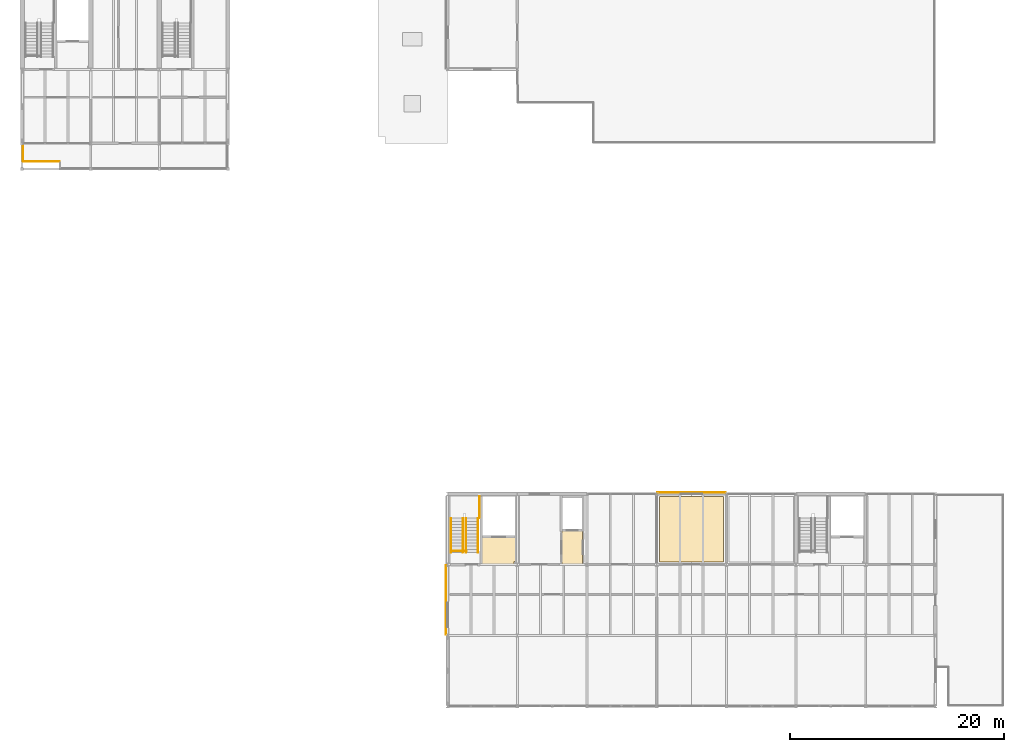
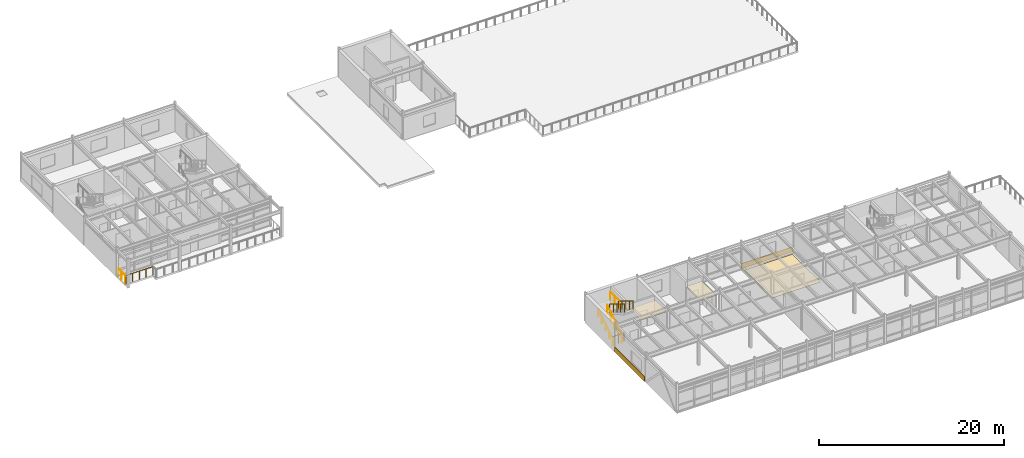
# One storey, part 23 of 26: 8 railings, 5 coverings.
"""IFC4 building model written with IfcOpenShell, lengths in metres."""

import ifcopenshell
import ifcopenshell.guid

model = None  # the IFC model being written
_history = None  # IfcOwnerHistory: only IFC2X3 demands one
_inside = {}  # id of a spatial element -> (the spatial element, [elements in it])
_under = {}  # id of a project, library or spatial element -> (it, [spatial elements below it])
_declared = {}  # id of a project -> (the project, [libraries it declares])
_typed = {}  # id of a type object -> (the type object, [elements of that type])
_made_of = {}  # id of a material, layer set ... -> (it, [elements and type objects made of it])


def new_model(schema):
    """Start an empty IFC model of exactly this schema.

    Asked for "IFC4X3", IfcOpenShell would pick the latest addendum, in which some entities
    have other attributes; the version numbers below select the first issue.
    IFC2X3 requires an IfcOwnerHistory on every rooted entity: one is made here for all.
    """
    global model, _history
    if schema == "IFC4X3":
        model = ifcopenshell.file(schema_version=(4, 3, 0, 0))
    else:
        model = ifcopenshell.file(schema=schema)
    _inside.clear()
    _under.clear()
    _declared.clear()
    _typed.clear()
    _made_of.clear()
    _history = None
    if model.schema == "IFC2X3":
        org = make("IfcOrganization", Name="unknown")
        user = make(
            "IfcPersonAndOrganization",
            ThePerson=make("IfcPerson", FamilyName="unknown"),
            TheOrganization=org,
        )
        app = make(
            "IfcApplication",
            ApplicationDeveloper=org,
            Version="unknown",
            ApplicationFullName="unknown",
            ApplicationIdentifier="unknown",
        )
        _history = make(
            "IfcOwnerHistory",
            OwningUser=user,
            OwningApplication=app,
            ChangeAction="ADDED",
            CreationDate=0,
        )
    return model


def make(cls, **values):
    """One entity of the class cls with the attributes given. An attribute that is None is left unset."""
    return model.create_entity(
        cls, **{name: value for name, value in values.items() if value is not None}
    )


def rooted(cls, **values):
    """An entity with a GlobalId (a new one), such as an element, a storey or a relation."""
    return make(cls, GlobalId=ifcopenshell.guid.new(), OwnerHistory=_history, **values)


def si_unit(unit_type, name, prefix=None):
    """IfcSIUnit, for example si_unit("LENGTHUNIT", "METRE", prefix="MILLI")."""
    return make("IfcSIUnit", UnitType=unit_type, Prefix=prefix, Name=name)


def assignment(units):
    """IfcUnitAssignment: the units of a project."""
    return None if units is None else make("IfcUnitAssignment", Units=units)


def point(xyz):
    """IfcCartesianPoint."""
    return None if xyz is None else make("IfcCartesianPoint", Coordinates=xyz)


def direction(xyz):
    """IfcDirection."""
    return None if xyz is None else make("IfcDirection", DirectionRatios=xyz)


def frame(location, z_axis=None, x_axis=None):
    """IfcAxis2Placement3D, a coordinate frame: its origin and axes. An axis left out is left unset."""
    return make(
        "IfcAxis2Placement3D",
        Location=point(location),
        Axis=direction(z_axis),
        RefDirection=direction(x_axis),
    )


def frame_2d(location, x_axis=None):
    """IfcAxis2Placement2D, a coordinate frame in the plane: its origin and x axis."""
    return make(
        "IfcAxis2Placement2D", Location=point(location), RefDirection=direction(x_axis)
    )


def origin():
    """The frame at (0, 0, 0) with its axes left unset."""
    return frame((0.0, 0.0, 0.0))


def origin_2d():
    """The frame at (0, 0) in the plane with its x axis left unset."""
    return frame_2d((0.0, 0.0))


def place(relative_to, where):
    """IfcLocalPlacement: puts the frame where relative to a parent placement (None: the world)."""
    return make(
        "IfcLocalPlacement", PlacementRelTo=relative_to, RelativePlacement=where
    )


def context(
    kind, dimensions, precision=None, world=None, true_north=None, identifier=None
):
    """IfcGeometricRepresentationContext, for example the 3D "Model" context."""
    return make(
        "IfcGeometricRepresentationContext",
        ContextIdentifier=identifier,
        ContextType=kind,
        CoordinateSpaceDimension=dimensions,
        Precision=precision,
        WorldCoordinateSystem=world,
        TrueNorth=true_north,
    )


def subcontext(parent, identifier, kind, view, scale=None):
    """IfcGeometricRepresentationSubContext, for example "Body" below "Model"."""
    return make(
        "IfcGeometricRepresentationSubContext",
        ContextIdentifier=identifier,
        ContextType=kind,
        ParentContext=parent,
        TargetScale=scale,
        TargetView=view,
    )


def project(units=None, contexts=None):
    """IfcProject with its units and contexts."""
    return rooted(
        "IfcProject",
        Name="project",
        RepresentationContexts=contexts,
        UnitsInContext=assignment(units),
    )


def spatial(cls, under=None, at=None, **own):
    """A site, building, storey or space (cls), placed at a placement, below another one or the project."""
    s = rooted(cls, ObjectPlacement=at, **own)
    if under is not None:
        _under.setdefault(under.id(), (under, []))[1].append(s)
    return s


def polyline(points):
    """IfcPolyline through the points."""
    return make("IfcPolyline", Points=[point(p) for p in points])


def profile(cls, at=None, kind="AREA", **sizes):
    """A parametric profile (cls). Its sizes go by their IFC names, for example OverallWidth=200.0."""
    return make(cls, ProfileType=kind, Position=at, **sizes)


def rectangle(**sizes):
    """IfcRectangleProfileDef."""
    return profile("IfcRectangleProfileDef", **sizes)


def circle(**sizes):
    """IfcCircleProfileDef."""
    return profile("IfcCircleProfileDef", **sizes)


def outline(outer, holes=None, kind="AREA"):
    """IfcArbitraryClosedProfileDef: a profile drawn as a closed curve; with holes, ...WithVoids."""
    if holes is None:
        return make("IfcArbitraryClosedProfileDef", ProfileType=kind, OuterCurve=outer)
    return make(
        "IfcArbitraryProfileDefWithVoids",
        ProfileType=kind,
        OuterCurve=outer,
        InnerCurves=holes,
    )


def extrude(swept, where, along, depth):
    """IfcExtrudedAreaSolid: the profile swept, set in the frame where, extruded along a direction by depth."""
    return make(
        "IfcExtrudedAreaSolid",
        SweptArea=swept,
        Position=where,
        ExtrudedDirection=direction(along),
        Depth=depth,
    )


def shape(context_of_items, identifier, shape_type, items):
    """IfcShapeRepresentation: the items that make up one representation, for example the "Body"."""
    return make(
        "IfcShapeRepresentation",
        ContextOfItems=context_of_items,
        RepresentationIdentifier=identifier,
        RepresentationType=shape_type,
        Items=items,
    )


def material(Name=None, Category=None):
    """IfcMaterial."""
    return make("IfcMaterial", Name=Name, Category=Category)


def layer(
    of_material, thickness, ventilated=None, Name=None, Category=None, Priority=None
):
    """IfcMaterialLayer: one layer of a wall or slab, of a material (None: an air gap)."""
    return make(
        "IfcMaterialLayer",
        Material=of_material,
        LayerThickness=thickness,
        IsVentilated=ventilated,
        Name=Name,
        Category=Category,
        Priority=Priority,
    )


def layer_set(layers, Name=None):
    """IfcMaterialLayerSet."""
    return make("IfcMaterialLayerSet", MaterialLayers=layers, LayerSetName=Name)


def made_of(thing, what):
    """Note that an element or type object is made of a material, layer set ...; save() writes the relation."""
    if what is not None:
        _made_of.setdefault(what.id(), (what, []))[1].append(thing)
    return thing


def type_object(cls, material=None, **own):
    """A type object (cls), such as IfcWallType, which elements share."""
    return made_of(rooted(cls, **own), material)


def element(
    cls,
    number,
    at=None,
    inside=None,
    cuts=None,
    type_object=None,
    material=None,
    context=None,
    identifier="Body",
    shape_type=None,
    held_by="IfcProductDefinitionShape",
    body=None,
    shapes=None,
    **own,
):
    """One element of the class cls, such as IfcWall. Its Tag is "e" and its number.

    at: its placement. inside: the storey or other place that contains it. cuts: it is an
    opening in that element (IfcRelVoidsElement). A single representation is given by context,
    identifier, shape_type and body (its items); several are given by shapes. held_by: the class
    of the entity that holds the representations. save() writes the other relations.
    """
    e = rooted(cls, Tag="e%d" % number, ObjectPlacement=at, **own)
    if body is not None:
        shapes = [shape(context, identifier, shape_type, body)]
    if shapes is not None:
        e.Representation = make(held_by, Representations=shapes)
    if inside is not None:
        _inside.setdefault(inside.id(), (inside, []))[1].append(e)
    if cuts is not None:
        rooted(
            "IfcRelVoidsElement", RelatingBuildingElement=cuts, RelatedOpeningElement=e
        )
    if type_object is not None:
        _typed.setdefault(type_object.id(), (type_object, []))[1].append(e)
    return made_of(e, material)


def aggregate(whole, parts):
    """IfcRelAggregates: a whole, such as a stair, and the parts it consists of."""
    return rooted("IfcRelAggregates", RelatingObject=whole, RelatedObjects=parts)


def save(model, path):
    """Write the relations noted so far, then the file.

    IfcRelAggregates (storeys below a building ...), IfcRelContainedInSpatialStructure (elements
    in a storey), IfcRelDefinesByType, IfcRelAssociatesMaterial and IfcRelDeclares: one each for
    every whole, place, type object, material and project.
    """
    for whole, parts in _under.values():
        aggregate(whole, parts)
    for where, things in _inside.values():
        rooted(
            "IfcRelContainedInSpatialStructure",
            RelatedElements=things,
            RelatingStructure=where,
        )
    for kind, things in _typed.values():
        rooted("IfcRelDefinesByType", RelatedObjects=things, RelatingType=kind)
    for what, things in _made_of.values():
        rooted("IfcRelAssociatesMaterial", RelatedObjects=things, RelatingMaterial=what)
    for by, libraries in _declared.values():
        rooted("IfcRelDeclares", RelatingContext=by, RelatedDefinitions=libraries)
    model.write(path)


model = new_model("IFC4")

# Units and contexts
model_context = context("Model", 3, precision=1e-05, world=origin(), true_north=direction((0.0, 1.0)))
body_context = subcontext(model_context, "Body", "Model", "MODEL_VIEW")
ifc_project = project(units=[si_unit("LENGTHUNIT", "METRE"), si_unit("AREAUNIT", "SQUARE_METRE"), si_unit("VOLUMEUNIT", "CUBIC_METRE"), si_unit("PLANEANGLEUNIT", "RADIAN"), si_unit("MASSUNIT", "GRAM", prefix="KILO")], contexts=[model_context])

# Site, building, storey
site_placement = place(None, origin())
site = spatial("IfcSite", under=ifc_project, at=site_placement, CompositionType="ELEMENT")
building_placement = place(site_placement, origin())
building = spatial("IfcBuilding", under=site, at=building_placement, Name="Trelmorton Wharf Fire Station", CompositionType="ELEMENT")
storey_placement = place(building_placement, frame((0.0, 0.0, 17.39990234375)))
storey = spatial("IfcBuildingStorey", under=building, at=storey_placement, Name="L04", CompositionType="ELEMENT", Elevation=17.39990234375)

# Coverings
ifc_material_1 = material(Name="Mineral fibre acoustic ceiling")
ifc_layer_1 = layer(ifc_material_1, 0.02001953125)
ifc_layer_set_1 = layer_set([ifc_layer_1], Name="Mineral fibre acoustic ceiling")
covering_type_1 = type_object("IfcCoveringType", Name="CV_CEIL_ACOU", PredefinedType="CEILING", material=ifc_layer_set_1)
covering_1_placement = place(storey_placement, frame((0.0, 0.0, 2.97998046875)))
element("IfcCovering", 1, at=covering_1_placement, inside=storey, type_object=covering_type_1, Name="CV-CLG-019", PredefinedType="CEILING", context=body_context, shape_type="SweptSolid", body=[
    extrude(outline(polyline([(113.659912109375, 21.0400390625), (113.659912109375, 23.56005859375), (116.9599609375, 23.56005859375), (116.9599609375, 21.300048828125), (116.699951171875, 21.300048828125), (116.699951171875, 21.0400390625), (113.659912109375, 21.0400390625)])), origin(), (0.0, 0.0, 1.0), 0.02001953125),
])
covering_2_placement = place(storey_placement, frame((0.0, 0.0, 2.97998046875)))
element("IfcCovering", 2, at=covering_2_placement, inside=storey, type_object=covering_type_1, Name="CV-CLG-020", PredefinedType="CEILING", context=body_context, shape_type="SweptSolid", body=[
    extrude(outline(polyline([(123.090087890625, 21.0400390625), (123.090087890625, 24.159912109375), (121.14990234375, 24.159912109375), (121.14990234375, 21.0400390625), (123.090087890625, 21.0400390625)])), origin(), (0.0, 0.0, 1.0), 0.02001953125),
])
ifc_material_2 = material(Name="Architectural terracotta cladding", Category="masonry")
ifc_layer_2 = layer(ifc_material_2, 0.044921875)
ifc_layer_set_2 = layer_set([ifc_layer_2], Name="Architectural terracotta cladding")
covering_type_2 = type_object("IfcCoveringType", Name="CV_CLAD_TER", PredefinedType="CLADDING", material=ifc_layer_set_2)
covering_3_placement = place(storey_placement, frame((133.25, 27.735107421875, 0.0302734375), z_axis=(0.0, 0.0, 1.0), x_axis=(1.0, 0.0, 0.0)))
element("IfcCovering", 3, at=covering_3_placement, inside=storey, type_object=covering_type_2, Name="CV-TER-0017", PredefinedType="CLADDING", context=body_context, shape_type="SweptSolid", body=[
    extrude(rectangle(XDim=6.3701171875, YDim=0.044921875, at=origin_2d()), origin(), (0.0, 0.0, 1.0), 0.659912109375),
])
covering_4_placement = place(storey_placement, frame((110.3349609375, 17.699951171875, 0.0302734375), z_axis=(0.0, 0.0, 1.0), x_axis=(0.0, 1.0, 0.0)))
element("IfcCovering", 4, at=covering_4_placement, inside=storey, type_object=covering_type_2, Name="CV-TER-0018", PredefinedType="CLADDING", context=body_context, shape_type="SweptSolid", body=[
    extrude(rectangle(XDim=6.469970703125, YDim=0.044921875, at=origin_2d()), origin(), (0.0, 0.0, 1.0), 0.659912109375),
])
ifc_material_3 = material(Name="Quarry tile wet-area flooring")
ifc_layer_3 = layer(ifc_material_3, 0.02001953125)
ifc_layer_set_3 = layer_set([ifc_layer_3], Name="Quarry tile wet-area flooring")
covering_type_3 = type_object("IfcCoveringType", Name="CV_FLOR_TILE", PredefinedType="FLOORING", material=ifc_layer_set_3)
covering_5_placement = place(storey_placement, origin())
element("IfcCovering", 5, at=covering_5_placement, inside=storey, type_object=covering_type_3, Name="CV-FLR-016", PredefinedType="FLOORING", context=body_context, shape_type="SweptSolid", body=[
    extrude(outline(polyline([(136.25, 21.25), (136.25, 27.35009765625), (130.25, 27.35009765625), (130.25, 21.25), (136.25, 21.25)])), origin(), (0.0, 0.0, 1.0), 0.02001953125),
])

# Railings
ifc_material_4 = material(Name="Signal-red architectural steel Grade 350", Category="steel")
railing_type_1 = type_object("IfcRailingType", Name="RL_BAL_RED", PredefinedType="BALUSTRADE", material=ifc_material_4)
railing_1_placement = place(storey_placement, frame((70.8798828125, 60.260009765625, 0.0)))
element("IfcRailing", 6, at=railing_1_placement, inside=storey, type_object=railing_type_1, Name="RL-DECK-L04-067", PredefinedType="BALUSTRADE", context=body_context, shape_type="SweptSolid", body=[
    extrude(circle(Radius=0.02392578125, at=origin_2d()), frame((0.0, 0.0, 1.09619140625), z_axis=(0.0, -1.0, 0.0), x_axis=(1.0, 0.0, 0.0)), (0.0, 0.0, 1.0), 1.60009765625),
    extrude(circle(Radius=0.02099609375, at=origin_2d()), origin(), (0.0, 0.0, 1.0), 1.072021484375),
    extrude(circle(Radius=0.02099609375, at=origin_2d()), frame((0.0, -0.800048828125, 0.0)), (0.0, 0.0, 1.0), 1.072021484375),
    extrude(circle(Radius=0.02099609375, at=origin_2d()), frame((0.0, -1.60009765625, 0.0)), (0.0, 0.0, 1.0), 1.072021484375),
])
railing_2_placement = place(storey_placement, frame((70.919921875, 58.6201171875, 0.0)))
element("IfcRailing", 7, at=railing_2_placement, inside=storey, type_object=railing_type_1, Name="RL-DECK-L04-068", PredefinedType="BALUSTRADE", context=body_context, shape_type="SweptSolid", body=[
    extrude(circle(Radius=0.02392578125, at=origin_2d()), frame((0.0, 0.0, 1.09619140625), z_axis=(1.0, 0.0, 0.0), x_axis=(0.0, 1.0, 0.0)), (0.0, 0.0, 1.0), 3.360107421875),
    extrude(circle(Radius=0.02099609375, at=origin_2d()), origin(), (0.0, 0.0, 1.0), 1.072021484375),
    extrude(circle(Radius=0.02099609375, at=origin_2d()), frame((0.840087890625, 0.0, 0.0)), (0.0, 0.0, 1.0), 1.072021484375),
    extrude(circle(Radius=0.02099609375, at=origin_2d()), frame((1.68017578125, 0.0, 0.0)), (0.0, 0.0, 1.0), 1.072021484375),
    extrude(circle(Radius=0.02099609375, at=origin_2d()), frame((2.52001953125, 0.0, 0.0)), (0.0, 0.0, 1.0), 1.072021484375),
    extrude(circle(Radius=0.02099609375, at=origin_2d()), frame((3.360107421875, 0.0, 0.0)), (0.0, 0.0, 1.0), 1.072021484375),
])
ifc_material_5 = material(Name="Stainless steel 316 marine grade", Category="steel")
railing_type_2 = type_object("IfcRailingType", Name="RL_HAND_900", PredefinedType="HANDRAIL", material=ifc_material_5)
railing_3_placement = place(storey_placement, frame((110.81005859375, 22.139892578125, 0.0)))
element("IfcRailing", 8, at=railing_3_placement, inside=storey, type_object=railing_type_2, Name="RL-HR1-STR-C3-L04-12", PredefinedType="HANDRAIL", context=body_context, shape_type="SweptSolid", body=[
    extrude(circle(Radius=0.02099609375, at=origin_2d()), frame((0.0, 0.0, 0.87890625), z_axis=(0.0, 0.853205965376, 0.521574137248), x_axis=(-1.0, 0.0, 0.0)), (0.0, 0.0, 1.0), 3.739013671875),
    extrude(circle(Radius=0.02099609375, at=origin_2d()), origin(), (0.0, 0.0, 1.0), 0.85791015625),
    extrude(circle(Radius=0.02099609375, at=origin_2d()), frame((0.0, 0.797607421875, 0.487548828125)), (0.0, 0.0, 1.0), 0.85791015625),
    extrude(circle(Radius=0.02099609375, at=origin_2d()), frame((0.0, 1.59521484375, 0.97509765625)), (0.0, 0.0, 1.0), 0.85791015625),
    extrude(circle(Radius=0.02099609375, at=origin_2d()), frame((0.0, 2.392578125, 1.462646484375)), (0.0, 0.0, 1.0), 0.85791015625),
    extrude(circle(Radius=0.02099609375, at=origin_2d()), frame((0.0, 3.190185546875, 1.9501953125)), (0.0, 0.0, 1.0), 0.85791015625),
])
railing_type_3 = type_object("IfcRailingType", Name="RL_WELL_1100", PredefinedType="BALUSTRADE", material=ifc_material_5)
railing_4_placement = place(storey_placement, frame((110.860107421875, 22.260009765625, 0.0)))
element("IfcRailing", 9, at=railing_4_placement, inside=storey, type_object=railing_type_3, Name="RL-UPWELL-STR-C3-L03-11", PredefinedType="BALUSTRADE", context=body_context, shape_type="SweptSolid", body=[
    extrude(circle(Radius=0.02392578125, at=origin_2d()), frame((0.0, 0.0, 1.09619140625), z_axis=(1.0, 0.0, 0.0), x_axis=(0.0, 1.0, 0.0)), (0.0, 0.0, 1.0), 1.3798828125),
    extrude(circle(Radius=0.02099609375, at=origin_2d()), origin(), (0.0, 0.0, 1.0), 1.072021484375),
    extrude(circle(Radius=0.02099609375, at=origin_2d()), frame((0.68994140625, 0.0, 0.0)), (0.0, 0.0, 1.0), 1.072021484375),
    extrude(circle(Radius=0.02099609375, at=origin_2d()), frame((1.3798828125, 0.0, 0.0)), (0.0, 0.0, 1.0), 1.072021484375),
])
railing_5_placement = place(storey_placement, frame((113.455078125, 27.35498046875, 1.9501953125)))
element("IfcRailing", 10, at=railing_5_placement, inside=storey, type_object=railing_type_3, Name="RL-GW-OUT1-STR-C3-L04-12", PredefinedType="BALUSTRADE", context=body_context, shape_type="SweptSolid", body=[
    extrude(circle(Radius=0.02392578125, at=origin_2d()), frame((0.0, 0.0, 1.09619140625), z_axis=(0.0, -1.0, 0.0), x_axis=(1.0, 0.0, 0.0)), (0.0, 0.0, 1.0), 1.98486328125),
    extrude(circle(Radius=0.02099609375, at=origin_2d()), origin(), (0.0, 0.0, 1.0), 1.072021484375),
    extrude(circle(Radius=0.02099609375, at=origin_2d()), frame((0.0, -0.992431640625, 0.0)), (0.0, 0.0, 1.0), 1.072021484375),
    extrude(circle(Radius=0.02099609375, at=origin_2d()), frame((0.0, -1.98486328125, 0.0)), (0.0, 0.0, 1.0), 1.072021484375),
])
railing_6_placement = place(storey_placement, frame((113.31005859375, 25.330078125, 1.9501953125)))
element("IfcRailing", 11, at=railing_6_placement, inside=storey, type_object=railing_type_3, Name="RL-GW-OUT2-STR-C3-L04-12", PredefinedType="BALUSTRADE", context=body_context, shape_type="SweptSolid", body=[
    extrude(circle(Radius=0.02392578125, at=origin_2d()), frame((0.0, 0.0, 1.09619140625), z_axis=(0.0, -0.853235021851, 0.521526602856), x_axis=(1.0, 0.0, 0.0)), (0.0, 0.0, 1.0), 3.739013671875),
    extrude(circle(Radius=0.02099609375, at=origin_2d()), origin(), (0.0, 0.0, 1.0), 1.072021484375),
    extrude(circle(Radius=0.02099609375, at=origin_2d()), frame((0.0, -0.797607421875, 0.487548828125)), (0.0, 0.0, 1.0), 1.072021484375),
    extrude(circle(Radius=0.02099609375, at=origin_2d()), frame((0.0, -1.59521484375, 0.97509765625)), (0.0, 0.0, 1.0), 1.072021484375),
    extrude(circle(Radius=0.02099609375, at=origin_2d()), frame((0.0, -2.392578125, 1.46240234375)), (0.0, 0.0, 1.0), 1.072021484375),
    extrude(circle(Radius=0.02099609375, at=origin_2d()), frame((0.0, -3.190185546875, 1.949951171875)), (0.0, 0.0, 1.0), 1.072021484375),
])
railing_7_placement = place(storey_placement, frame((111.909912109375, 22.139892578125, 0.0)))
element("IfcRailing", 12, at=railing_7_placement, inside=storey, type_object=railing_type_3, Name="RL-GW-IN1-STR-C3-L04-12", PredefinedType="BALUSTRADE", context=body_context, shape_type="SweptSolid", body=[
    extrude(circle(Radius=0.02392578125, at=origin_2d()), frame((0.0, 0.0, 1.09619140625), z_axis=(0.0, 0.853205965376, 0.521574137248), x_axis=(-1.0, 0.0, 0.0)), (0.0, 0.0, 1.0), 3.739013671875),
    extrude(circle(Radius=0.02099609375, at=origin_2d()), origin(), (0.0, 0.0, 1.0), 1.072021484375),
    extrude(circle(Radius=0.02099609375, at=origin_2d()), frame((0.0, 0.797607421875, 0.487548828125)), (0.0, 0.0, 1.0), 1.072021484375),
    extrude(circle(Radius=0.02099609375, at=origin_2d()), frame((0.0, 1.59521484375, 0.97509765625)), (0.0, 0.0, 1.0), 1.072021484375),
    extrude(circle(Radius=0.02099609375, at=origin_2d()), frame((0.0, 2.392578125, 1.462646484375)), (0.0, 0.0, 1.0), 1.072021484375),
    extrude(circle(Radius=0.02099609375, at=origin_2d()), frame((0.0, 3.190185546875, 1.9501953125)), (0.0, 0.0, 1.0), 1.072021484375),
])
railing_8_placement = place(storey_placement, frame((112.2099609375, 25.330078125, 1.9501953125)))
element("IfcRailing", 13, at=railing_8_placement, inside=storey, type_object=railing_type_3, Name="RL-GW-IN2-STR-C3-L04-12", PredefinedType="BALUSTRADE", context=body_context, shape_type="SweptSolid", body=[
    extrude(circle(Radius=0.02392578125, at=origin_2d()), frame((0.0, 0.0, 1.09619140625), z_axis=(0.0, -0.853235021851, 0.521526602856), x_axis=(1.0, 0.0, 0.0)), (0.0, 0.0, 1.0), 3.739013671875),
    extrude(circle(Radius=0.02099609375, at=origin_2d()), origin(), (0.0, 0.0, 1.0), 1.072021484375),
    extrude(circle(Radius=0.02099609375, at=origin_2d()), frame((0.0, -0.797607421875, 0.487548828125)), (0.0, 0.0, 1.0), 1.072021484375),
    extrude(circle(Radius=0.02099609375, at=origin_2d()), frame((0.0, -1.59521484375, 0.97509765625)), (0.0, 0.0, 1.0), 1.072021484375),
    extrude(circle(Radius=0.02099609375, at=origin_2d()), frame((0.0, -2.392578125, 1.46240234375)), (0.0, 0.0, 1.0), 1.072021484375),
    extrude(circle(Radius=0.02099609375, at=origin_2d()), frame((0.0, -3.190185546875, 1.949951171875)), (0.0, 0.0, 1.0), 1.072021484375),
])

save(model, "model.ifc")
